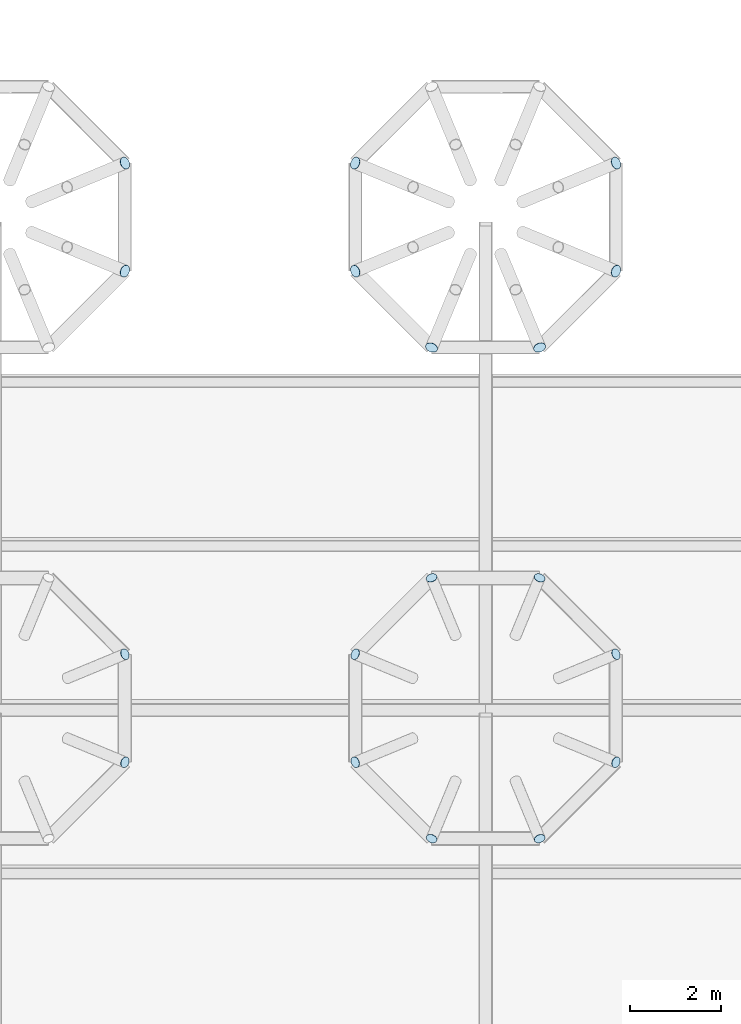
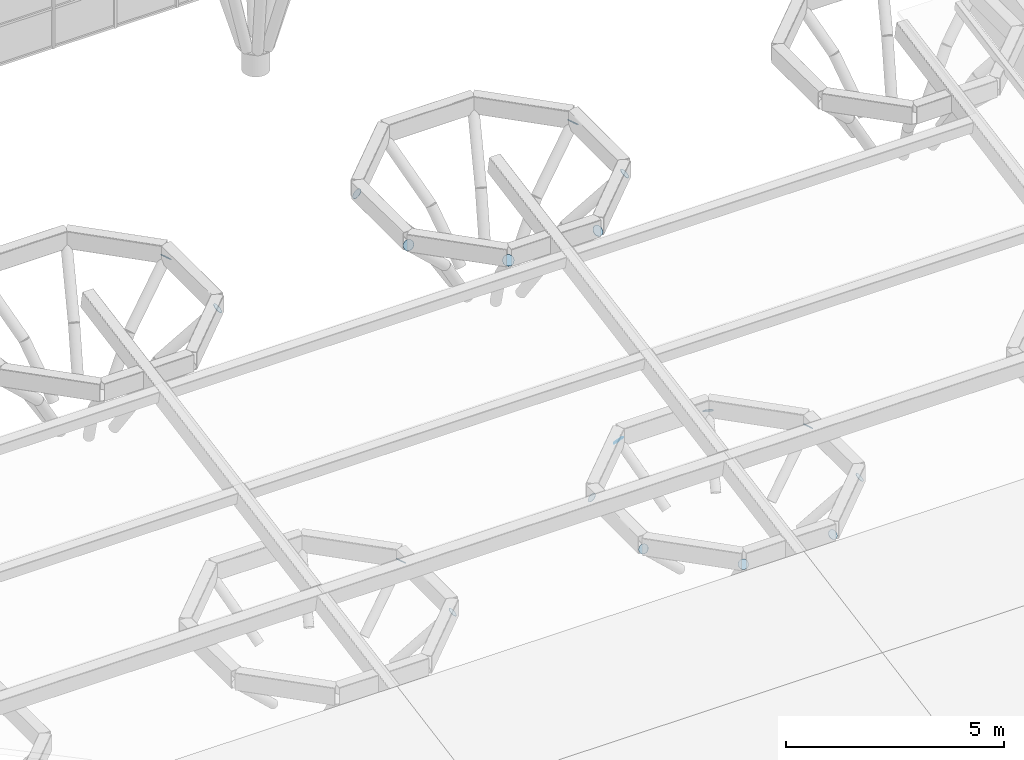
# One storey, part 24 of 42: 18 plates.
"""IFC4 building model written with IfcOpenShell, lengths in metres."""

from ifc_helpers import new_model, si_unit, direction, frame, origin, origin_2d, place, context, subcontext, project, spatial, circle, extrude, material, material_profile, profile_set, type_object, element, save


model = new_model("IFC4")

# Units and contexts
model_context = context("Model", 3, precision=1e-05, world=origin(), true_north=direction((0.0, 1.0)))
body_context = subcontext(model_context, "Body", "Model", "MODEL_VIEW")
ifc_project = project(units=[si_unit("LENGTHUNIT", "METRE"), si_unit("AREAUNIT", "SQUARE_METRE"), si_unit("VOLUMEUNIT", "CUBIC_METRE"), si_unit("PLANEANGLEUNIT", "RADIAN"), si_unit("MASSUNIT", "GRAM", prefix="KILO")], contexts=[model_context])

# Site, building, storey
site_placement = place(None, origin())
site = spatial("IfcSite", under=ifc_project, at=site_placement, CompositionType="ELEMENT")
building_placement = place(site_placement, origin())
building = spatial("IfcBuilding", under=site, at=building_placement, Name="Magnolia Steps Interchange", CompositionType="ELEMENT")
storey_placement = place(building_placement, frame((0.0, 0.0, 12.60009765625)))
storey = spatial("IfcBuildingStorey", under=building, at=storey_placement, Name="L03", CompositionType="ELEMENT", Elevation=12.60009765625)

# Plates
ifc_material_1 = material(Name="Steel Q355B", Category="steel")
ifc_material_profile_1 = material_profile(ifc_material_1, circle(Radius=0.12255859375, at=origin_2d()), Name="End plate CHS245x12")
ifc_profile_set_1 = profile_set([ifc_material_profile_1], Name="Steel Q355B")
plate_type_1 = type_object("IfcPlateType", Name="End plate CHS245x12", PredefinedType="SHEET", material=ifc_profile_set_1)
for number, where, z_axis, x_axis, name in (
    (1, (99.263916015625, 65.186279296875, 1.349853515625), (0.664583318381, 0.275279424158, 0.694658370398), (-0.382683432789, 0.923879532336, 0.0), "End plate Tree rib"),
    (2, (99.263916015625, 62.813720703125, 1.349853515625), (0.664583318381, -0.275279424158, 0.694658370398), (0.382683432789, 0.923879532336, 0.0), "End plate Tree rib"),
    (3, (110.06396484375, 65.186279296875, 1.349853515625), (0.664583318381, 0.275279424158, 0.694658370398), (-0.382683432789, 0.923879532336, 0.0), "End plate Tree rib"),
    (4, (108.38623046875, 66.864013671875, 1.349853515625), (0.275279424158, 0.664583318381, 0.694658370398), (-0.923879532336, 0.382683432789, 0.0), "End plate Tree rib"),
    (5, (106.013671875, 66.864013671875, 1.349853515625), (-0.275279424158, 0.664583318381, 0.694658370398), (-0.923879532336, -0.382683432789, 0.0), "End plate Tree rib"),
    (6, (104.3359375, 65.186279296875, 1.349853515625), (-0.664583318381, 0.275279424158, 0.694658370398), (-0.382683432789, -0.923879532336, 0.0), "End plate Tree rib"),
    (7, (104.3359375, 62.813720703125, 1.349853515625), (-0.664583318381, -0.275279424158, 0.694658370398), (0.382683432789, -0.923879532336, 0.0), "End plate Tree rib"),
    (8, (106.013671875, 61.135986328125, 1.349853515625), (-0.275279424158, -0.664583318381, 0.694658370398), (0.923879532336, -0.382683432789, 0.0), "End plate Tree rib"),
    (9, (108.38623046875, 61.135986328125, 1.349853515625), (0.275279424158, -0.664583318381, 0.694658370398), (0.923879532336, 0.382683432789, 0.0), "End plate Tree rib"),
    (10, (110.06396484375, 62.813720703125, 1.349853515625), (0.664583318381, -0.275279424158, 0.694658370398), (0.382683432789, 0.923879532336, 0.0), "End plate Tree rib"),
):
    element("IfcPlate", number, at=place(storey_placement, frame(where, z_axis=z_axis, x_axis=x_axis)), inside=storey, type_object=plate_type_1, Name=name, PredefinedType="SHEET", context=body_context, shape_type="SweptSolid", body=[
        extrude(circle(Radius=0.12255859375, at=origin_2d()), origin(), (0.0, 0.0, 1.0), 0.008056640625),
    ])
ifc_material_2 = material(Name="Steel Q355B", Category="steel")
ifc_material_profile_2 = material_profile(ifc_material_2, circle(Radius=0.136474609375, at=origin_2d()), Name="End plate CHS273x14")
ifc_profile_set_2 = profile_set([ifc_material_profile_2], Name="Steel Q355B")
plate_type_2 = type_object("IfcPlateType", Name="End plate CHS273x14", PredefinedType="SHEET", material=ifc_profile_set_2)
for number, where, z_axis, x_axis, name in (
    (11, (99.263916015625, 75.986328125, 3.325439453125), (0.664583318381, 0.275279424158, 0.694658370398), (-0.382683432789, 0.923879532336, 0.0), "End plate Tree rib"),
    (12, (99.263916015625, 73.61376953125, 3.325439453125), (0.664583318381, -0.275279424158, 0.694658370398), (0.382683432789, 0.923879532336, 0.0), "End plate Tree rib"),
    (13, (110.06396484375, 75.986328125, 3.325439453125), (0.664583318381, 0.275279424158, 0.694658370398), (-0.382683432789, 0.923879532336, 0.0), "End plate Tree rib"),
    (14, (104.3359375, 75.986328125, 3.325439453125), (-0.664583318381, 0.275279424158, 0.694658370398), (-0.382683432789, -0.923879532336, 0.0), "End plate Tree rib"),
    (15, (104.3359375, 73.61376953125, 3.325439453125), (-0.664583318381, -0.275279424158, 0.694658370398), (0.382683432789, -0.923879532336, 0.0), "End plate Tree rib"),
    (16, (106.013671875, 71.93603515625, 3.325439453125), (-0.275279424158, -0.664583318381, 0.694658370398), (0.923879532336, -0.382683432789, 0.0), "End plate Tree rib"),
    (17, (108.38623046875, 71.93603515625, 3.325439453125), (0.275279424158, -0.664583318381, 0.694658370398), (0.923879532336, 0.382683432789, 0.0), "End plate Tree rib"),
    (18, (110.06396484375, 73.61376953125, 3.325439453125), (0.664583318381, -0.275279424158, 0.694658370398), (0.382683432789, 0.923879532336, 0.0), "End plate Tree rib"),
):
    element("IfcPlate", number, at=place(storey_placement, frame(where, z_axis=z_axis, x_axis=x_axis)), inside=storey, type_object=plate_type_2, Name=name, PredefinedType="SHEET", context=body_context, shape_type="SweptSolid", body=[
        extrude(circle(Radius=0.136474609375, at=origin_2d()), origin(), (0.0, 0.0, 1.0), 0.008056640625),
    ])

save(model, "model.ifc")
